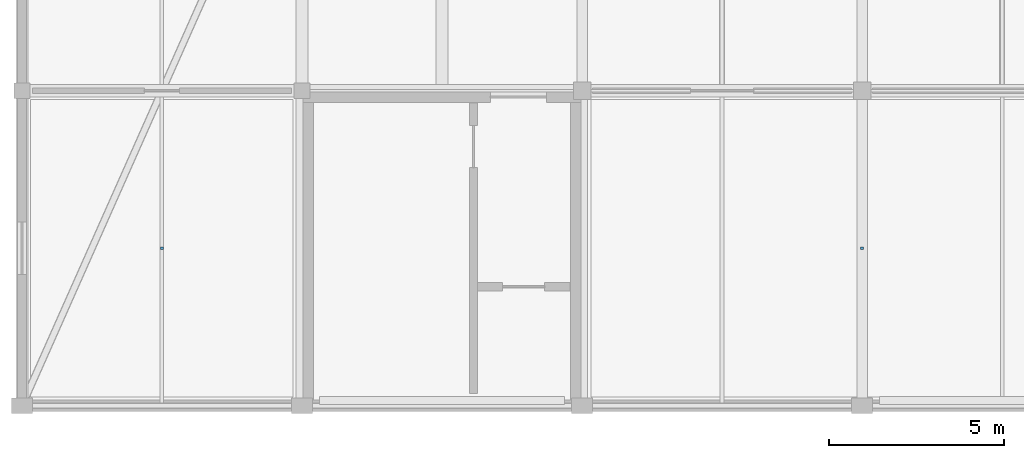
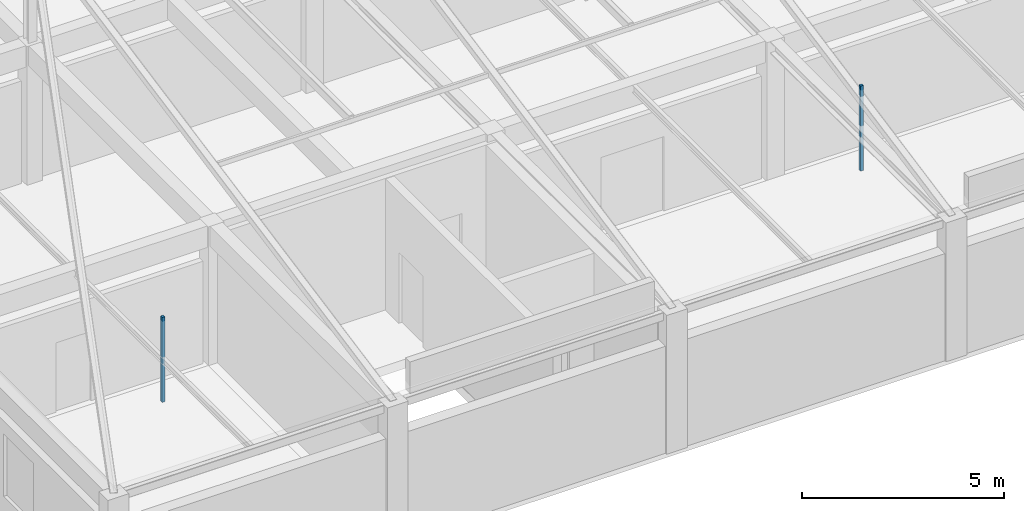
# One storey, part 58 of 65: 2 discrete accessories.
"""IFC4 building model written with IfcOpenShell, lengths in metres."""

from ifc_helpers import new_model, si_unit, direction, frame, origin, origin_2d, place, context, subcontext, project, spatial, rectangle, extrude, material, layer, layer_set, type_object, element, save


model = new_model("IFC4")

# Units and contexts
model_context = context("Model", 3, precision=1e-05, world=origin(), true_north=direction((0.0, 1.0)))
body_context = subcontext(model_context, "Body", "Model", "MODEL_VIEW")
ifc_project = project(units=[si_unit("LENGTHUNIT", "METRE"), si_unit("AREAUNIT", "SQUARE_METRE"), si_unit("VOLUMEUNIT", "CUBIC_METRE"), si_unit("PLANEANGLEUNIT", "RADIAN"), si_unit("MASSUNIT", "GRAM", prefix="KILO")], contexts=[model_context])

# Site, building, storey
site_placement = place(None, origin())
site = spatial("IfcSite", under=ifc_project, at=site_placement, CompositionType="ELEMENT")
building_placement = place(site_placement, origin())
building = spatial("IfcBuilding", under=site, at=building_placement, Name="Varnabhumi Central Station", CompositionType="ELEMENT")
storey_placement = place(building_placement, frame((0.0, 0.0, 24.60009765625)))
storey = spatial("IfcBuildingStorey", under=building, at=storey_placement, Name="L05", CompositionType="ELEMENT", Elevation=24.60009765625)

# Discrete accessories
ifc_material = material(Name="Structural steel E350", Category="steel")
ifc_layer = layer(ifc_material, 0.159912109375, Name="Structural steel E350", Category="steel")
ifc_layer_set = layer_set([ifc_layer], Name="Structural steel E350")
discrete_accessory_type = type_object("IfcDiscreteAccessoryType", Name="ACC-SHADE-BRKT", PredefinedType="BRACKET", material=ifc_layer_set)
for number, where, z_axis, x_axis, name in (
    (1, (36.0, 4.5, 2.83984375), (0.0, 0.0, 1.0), (1.0, 0.0, 0.0), "Running Crew Recreation Room Ceiling Hanger"),
    (2, (56.0, 4.5, 2.83984375), (0.0, 0.0, 1.0), (1.0, 0.0, 0.0), "Staff Canteen Server and Pantry Ceiling Hanger"),
):
    element("IfcDiscreteAccessory", number, at=place(storey_placement, frame(where, z_axis=z_axis, x_axis=x_axis)), inside=storey, type_object=discrete_accessory_type, Name=name, PredefinedType="BRACKET", context=body_context, shape_type="SweptSolid", body=[
        extrude(rectangle(XDim=0.080078125, YDim=0.080078125, at=origin_2d()), origin(), (0.0, 0.0, 1.0), 2.570068359375),
    ])

save(model, "model.ifc")
